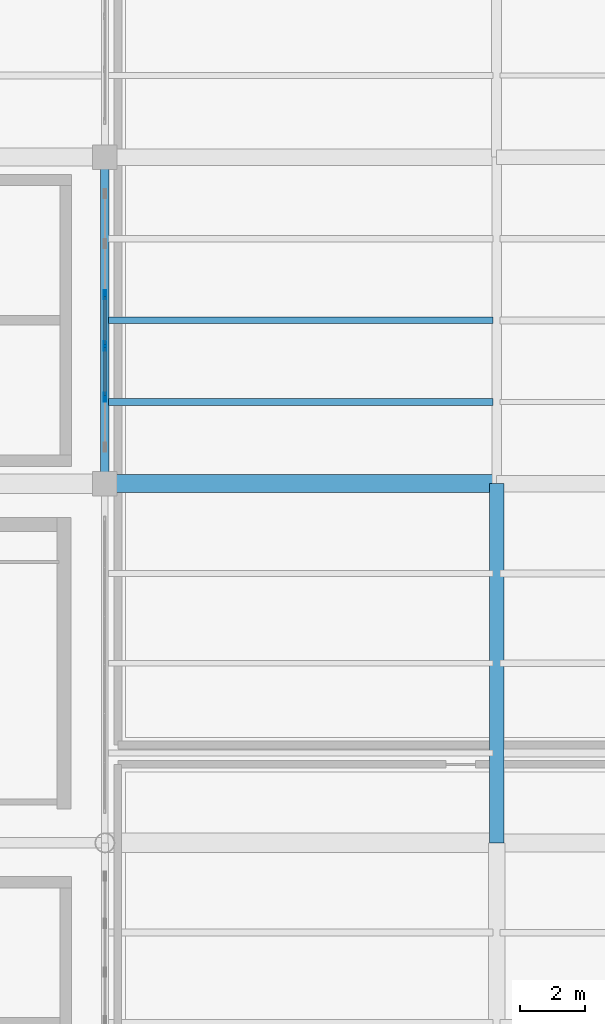
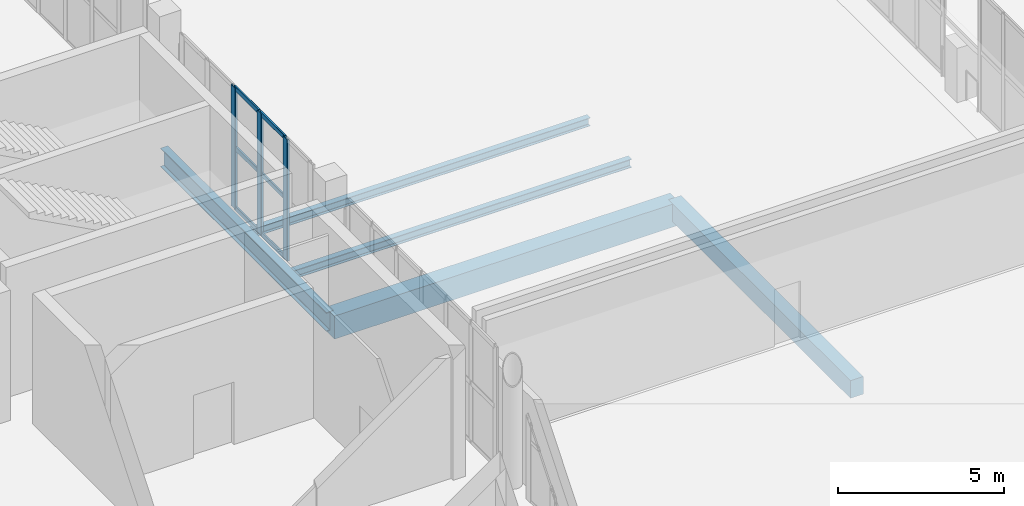
# One storey, part 68 of 136: 9 members, 5 beams, 1 element without a shape of its own.
"""IFC4 building model written with IfcOpenShell, lengths in metres."""

from ifc_helpers import new_model, si_unit, direction, frame, origin, origin_2d, place, context, subcontext, project, spatial, rectangle, hollow_rectangle, i_section, extrude, material, layer, layer_set, material_profile, profile_set, type_object, element, aggregate, save


model = new_model("IFC4")

# Units and contexts
model_context = context("Model", 3, precision=1e-05, world=origin(), true_north=direction((0.0, 1.0)))
body_context = subcontext(model_context, "Body", "Model", "MODEL_VIEW")
ifc_project = project(units=[si_unit("LENGTHUNIT", "METRE"), si_unit("AREAUNIT", "SQUARE_METRE"), si_unit("VOLUMEUNIT", "CUBIC_METRE"), si_unit("PLANEANGLEUNIT", "RADIAN"), si_unit("MASSUNIT", "GRAM", prefix="KILO")], contexts=[model_context])

# Site, building, storey
site_placement = place(None, origin())
site = spatial("IfcSite", under=ifc_project, at=site_placement, CompositionType="ELEMENT")
building_placement = place(site_placement, origin())
building = spatial("IfcBuilding", under=site, at=building_placement, Name="Brinegate Civic Arena", CompositionType="ELEMENT")
storey_placement = place(building_placement, frame((0.0, 0.0, 5.39990234375)))
storey = spatial("IfcBuildingStorey", under=building, at=storey_placement, Name="L01", CompositionType="ELEMENT", Elevation=5.39990234375)

# Curtain wall, members
ifc_material_1 = material(Name="Marine grade aluminium", Category="aluminium")
ifc_layer = layer(ifc_material_1, 0.199951171875, Name="Marine grade aluminium")
ifc_layer_set = layer_set([ifc_layer], Name="Marine grade aluminium")
curtain_wall_type = type_object("IfcCurtainWallType", Name="CW-BOWL-GLAZED-01", PredefinedType="USERDEFINED", material=ifc_layer_set)
curtain_wall_placement = place(storey_placement, origin())
curtain_wall = element("IfcCurtainWall", 1, at=curtain_wall_placement, inside=storey, type_object=curtain_wall_type, Name="Curtain Wall CWA-049", ObjectType="GLAZED CURTAIN WALL", PredefinedType="USERDEFINED")
ifc_material_profile_1 = material_profile(ifc_material_1, hollow_rectangle(XDim=0.080078125, YDim=0.280029296875, WallThickness=0.007080078125, InnerFilletRadius=0.0048828125, OuterFilletRadius=0.010009765625, at=origin_2d()), Name="MUL80X280")
ifc_profile_set_1 = profile_set([ifc_material_profile_1], Name="Marine grade aluminium")
member_type_1 = type_object("IfcMemberType", Name="CW-MULLION-80X280", PredefinedType="MULLION", material=ifc_profile_set_1)
member_1_placement = place(storey_placement, frame((168.0, 44.64794921875, 0.0), z_axis=(0.0, 0.0, 1.0), x_axis=(-1.0, 0.0, 0.0)))
member_1 = element("IfcMember", 2, at=member_1_placement, type_object=member_type_1, Name="CWA-049 mullion 2", PredefinedType="MULLION", context=body_context, shape_type="SweptSolid", body=[
    extrude(hollow_rectangle(XDim=0.080078125, YDim=0.280029296875, WallThickness=0.007080078125, InnerFilletRadius=0.0048828125, OuterFilletRadius=0.010009765625, at=origin_2d()), origin(), (0.0, 0.0, 1.0), 4.47021484375),
])
member_2_placement = place(storey_placement, frame((168.0, 46.216064453125, 0.0), z_axis=(0.0, 0.0, 1.0), x_axis=(-1.0, 0.0, 0.0)))
member_2 = element("IfcMember", 3, at=member_2_placement, type_object=member_type_1, Name="CWA-049 mullion 3", PredefinedType="MULLION", context=body_context, shape_type="SweptSolid", body=[
    extrude(hollow_rectangle(XDim=0.080078125, YDim=0.280029296875, WallThickness=0.007080078125, InnerFilletRadius=0.0048828125, OuterFilletRadius=0.010009765625, at=origin_2d()), origin(), (0.0, 0.0, 1.0), 4.47021484375),
])
member_3_placement = place(storey_placement, frame((168.0, 47.783935546875, 0.0), z_axis=(0.0, 0.0, 1.0), x_axis=(-1.0, 0.0, 0.0)))
member_3 = element("IfcMember", 4, at=member_3_placement, type_object=member_type_1, Name="CWA-049 mullion 4", PredefinedType="MULLION", context=body_context, shape_type="SweptSolid", body=[
    extrude(hollow_rectangle(XDim=0.080078125, YDim=0.280029296875, WallThickness=0.007080078125, InnerFilletRadius=0.0048828125, OuterFilletRadius=0.010009765625, at=origin_2d()), origin(), (0.0, 0.0, 1.0), 4.47021484375),
])
ifc_material_profile_2 = material_profile(ifc_material_1, hollow_rectangle(XDim=0.06494140625, YDim=0.1650390625, WallThickness=0.0048828125, InnerFilletRadius=0.00390625, OuterFilletRadius=0.008056640625, at=origin_2d()), Name="TRN65X165")
ifc_profile_set_2 = profile_set([ifc_material_profile_2], Name="Marine grade aluminium")
member_type_2 = type_object("IfcMemberType", Name="CW-TRANSOM-65X165", PredefinedType="USERDEFINED", material=ifc_profile_set_2)
member_4_placement = place(storey_placement, frame((168.0, 44.68798828125, 0.03271484375), z_axis=(0.0, 1.0, 0.0), x_axis=(-1.0, 0.0, 0.0)))
member_4 = element("IfcMember", 5, at=member_4_placement, type_object=member_type_2, Name="CWA-049 transom 2.1", ObjectType="TRANSOM", PredefinedType="USERDEFINED", context=body_context, shape_type="SweptSolid", body=[
    extrude(hollow_rectangle(XDim=0.06494140625, YDim=0.1650390625, WallThickness=0.0048828125, InnerFilletRadius=0.00390625, OuterFilletRadius=0.008056640625, at=origin_2d()), origin(), (0.0, 0.0, 1.0), 1.488037109375),
])
member_5_placement = place(storey_placement, frame((168.0, 44.68798828125, 2.235107421875), z_axis=(0.0, 1.0, 0.0), x_axis=(-1.0, 0.0, 0.0)))
member_5 = element("IfcMember", 6, at=member_5_placement, type_object=member_type_2, Name="CWA-049 transom 2.2", ObjectType="TRANSOM", PredefinedType="USERDEFINED", context=body_context, shape_type="SweptSolid", body=[
    extrude(hollow_rectangle(XDim=0.06494140625, YDim=0.1650390625, WallThickness=0.0048828125, InnerFilletRadius=0.00390625, OuterFilletRadius=0.008056640625, at=origin_2d()), origin(), (0.0, 0.0, 1.0), 1.488037109375),
])
member_6_placement = place(storey_placement, frame((168.0, 44.68798828125, 4.4375), z_axis=(0.0, 1.0, 0.0), x_axis=(-1.0, 0.0, 0.0)))
member_6 = element("IfcMember", 7, at=member_6_placement, type_object=member_type_2, Name="CWA-049 transom 2.3", ObjectType="TRANSOM", PredefinedType="USERDEFINED", context=body_context, shape_type="SweptSolid", body=[
    extrude(hollow_rectangle(XDim=0.06494140625, YDim=0.1650390625, WallThickness=0.0048828125, InnerFilletRadius=0.00390625, OuterFilletRadius=0.008056640625, at=origin_2d()), origin(), (0.0, 0.0, 1.0), 1.488037109375),
])
member_7_placement = place(storey_placement, frame((168.0, 46.256103515625, 0.03271484375), z_axis=(0.0, 1.0, 0.0), x_axis=(-1.0, 0.0, 0.0)))
member_7 = element("IfcMember", 8, at=member_7_placement, type_object=member_type_2, Name="CWA-049 transom 3.1", ObjectType="TRANSOM", PredefinedType="USERDEFINED", context=body_context, shape_type="SweptSolid", body=[
    extrude(hollow_rectangle(XDim=0.06494140625, YDim=0.1650390625, WallThickness=0.0048828125, InnerFilletRadius=0.00390625, OuterFilletRadius=0.008056640625, at=origin_2d()), origin(), (0.0, 0.0, 1.0), 1.48779296875),
])
member_8_placement = place(storey_placement, frame((168.0, 46.256103515625, 2.235107421875), z_axis=(0.0, 1.0, 0.0), x_axis=(-1.0, 0.0, 0.0)))
member_8 = element("IfcMember", 9, at=member_8_placement, type_object=member_type_2, Name="CWA-049 transom 3.2", ObjectType="TRANSOM", PredefinedType="USERDEFINED", context=body_context, shape_type="SweptSolid", body=[
    extrude(hollow_rectangle(XDim=0.06494140625, YDim=0.1650390625, WallThickness=0.0048828125, InnerFilletRadius=0.00390625, OuterFilletRadius=0.008056640625, at=origin_2d()), origin(), (0.0, 0.0, 1.0), 1.48779296875),
])
member_9_placement = place(storey_placement, frame((168.0, 46.256103515625, 4.4375), z_axis=(0.0, 1.0, 0.0), x_axis=(-1.0, 0.0, 0.0)))
member_9 = element("IfcMember", 10, at=member_9_placement, type_object=member_type_2, Name="CWA-049 transom 3.3", ObjectType="TRANSOM", PredefinedType="USERDEFINED", context=body_context, shape_type="SweptSolid", body=[
    extrude(hollow_rectangle(XDim=0.06494140625, YDim=0.1650390625, WallThickness=0.0048828125, InnerFilletRadius=0.00390625, OuterFilletRadius=0.008056640625, at=origin_2d()), origin(), (0.0, 0.0, 1.0), 1.48779296875),
])
aggregate(curtain_wall, [member_1, member_2, member_3, member_4, member_5, member_6, member_7, member_8, member_9])

# Beams
ifc_material_2 = material(Name="Steel S355", Category="steel")
ifc_material_profile_3 = material_profile(ifc_material_2, i_section(OverallWidth=0.202880859375, OverallDepth=0.302978515625, WebThickness=0.008056640625, FlangeThickness=0.012939453125, FilletRadius=0.012939453125, at=origin_2d()), Name="W310X60")
ifc_profile_set_3 = profile_set([ifc_material_profile_3], Name="Steel S355")
beam_type_1 = type_object("IfcBeamType", Name="JOIST-W310X60", PredefinedType="JOIST", material=ifc_profile_set_3)
beam_1_placement = place(storey_placement, frame((168.10595703125, 47.0, -0.490966796875), z_axis=(1.0, 0.0, 0.0), x_axis=(0.0, 1.0, 0.0)))
element("IfcBeam", 11, at=beam_1_placement, inside=storey, type_object=beam_type_1, Name="Secondary Joist BM-L01-JX-14-04-2", PredefinedType="JOIST", context=body_context, shape_type="SweptSolid", body=[
    extrude(i_section(OverallWidth=0.202880859375, OverallDepth=0.302978515625, WebThickness=0.008056640625, FlangeThickness=0.012939453125, FilletRadius=0.012939453125, at=origin_2d()), origin(), (0.0, 0.0, 1.0), 11.7880859375),
])
ifc_material_profile_4 = material_profile(ifc_material_2, i_section(OverallWidth=0.205078125, OverallDepth=0.31005859375, WebThickness=0.009033203125, FlangeThickness=0.01611328125, FilletRadius=0.012939453125, at=origin_2d()), Name="W310X74")
ifc_profile_set_4 = profile_set([ifc_material_profile_4], Name="Steel S355")
beam_type_2 = type_object("IfcBeamType", Name="JOIST-W310X74", PredefinedType="JOIST", material=ifc_profile_set_4)
beam_2_placement = place(storey_placement, frame((168.10595703125, 44.5, -0.494873046875), z_axis=(1.0, 0.0, 0.0), x_axis=(0.0, 1.0, 0.0)))
element("IfcBeam", 12, at=beam_2_placement, inside=storey, type_object=beam_type_2, Name="Secondary Joist BM-L01-JX-14-04-1", PredefinedType="JOIST", context=body_context, shape_type="SweptSolid", body=[
    extrude(i_section(OverallWidth=0.205078125, OverallDepth=0.31005859375, WebThickness=0.009033203125, FlangeThickness=0.01611328125, FilletRadius=0.012939453125, at=origin_2d()), origin(), (0.0, 0.0, 1.0), 11.7880859375),
])
ifc_material_3 = material(Name="Concrete C50/60", Category="concrete")
ifc_material_profile_5 = material_profile(ifc_material_3, rectangle(XDim=0.449951171875, YDim=0.64990234375, at=origin_2d()), Name="RCB450X650")
ifc_profile_set_5 = profile_set([ifc_material_profile_5], Name="Concrete C50/60")
beam_type_3 = type_object("IfcBeamType", Name="RCG-450X650", PredefinedType="BEAM", material=ifc_profile_set_5)
beam_3_placement = place(storey_placement, frame((180.0, 31.0, -0.664794921875), z_axis=(0.0, 1.0, 0.0), x_axis=(-1.0, 0.0, 0.0)))
element("IfcBeam", 13, at=beam_3_placement, inside=storey, type_object=beam_type_3, Name="Floor Girder BM-L01-GY-15-03", PredefinedType="BEAM", context=body_context, shape_type="SweptSolid", body=[
    extrude(rectangle(XDim=0.449951171875, YDim=0.64990234375, at=origin_2d()), origin(), (0.0, 0.0, 1.0), 11.0),
])
ifc_material_profile_6 = material_profile(ifc_material_3, rectangle(XDim=0.550048828125, YDim=0.85009765625, at=origin_2d()), Name="RCB550X850")
ifc_profile_set_6 = profile_set([ifc_material_profile_6], Name="Concrete C50/60")
beam_type_4 = type_object("IfcBeamType", Name="RCG-550X850", PredefinedType="BEAM", material=ifc_profile_set_6)
beam_4_placement = place(storey_placement, frame((168.0, 42.0, -0.764892578125), z_axis=(1.0, 0.0, 0.0), x_axis=(0.0, 1.0, 0.0)))
element("IfcBeam", 14, at=beam_4_placement, inside=storey, type_object=beam_type_4, Name="Floor Girder BM-L01-GX-14-04", PredefinedType="BEAM", context=body_context, shape_type="SweptSolid", body=[
    extrude(rectangle(XDim=0.550048828125, YDim=0.85009765625, at=origin_2d()), origin(), (0.0, 0.0, 1.0), 12.0),
])
ifc_material_profile_7 = material_profile(ifc_material_2, i_section(OverallWidth=0.256103515625, OverallDepth=0.693115234375, WebThickness=0.014892578125, FlangeThickness=0.02392578125, FilletRadius=0.01806640625, at=origin_2d()), Name="W690X170")
ifc_profile_set_7 = profile_set([ifc_material_profile_7], Name="Steel S355")
beam_type_5 = type_object("IfcBeamType", Name="SPANDREL-W690X170", PredefinedType="SPANDREL", material=ifc_profile_set_7)
beam_5_placement = place(storey_placement, frame((168.0, 42.0, -0.685791015625), z_axis=(0.0, 1.0, 0.0), x_axis=(-1.0, 0.0, 0.0)))
element("IfcBeam", 15, at=beam_5_placement, inside=storey, type_object=beam_type_5, Name="Floor Girder BM-L01-GY-14-04", PredefinedType="SPANDREL", context=body_context, shape_type="SweptSolid", body=[
    extrude(i_section(OverallWidth=0.256103515625, OverallDepth=0.693115234375, WebThickness=0.014892578125, FlangeThickness=0.02392578125, FilletRadius=0.01806640625, at=origin_2d()), origin(), (0.0, 0.0, 1.0), 10.0),
])

save(model, "model.ifc")
